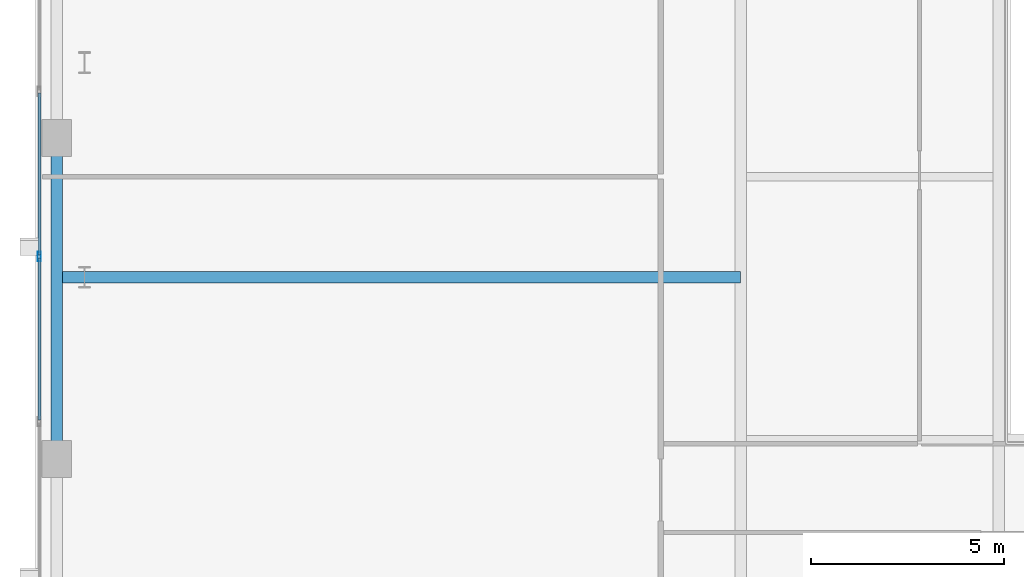
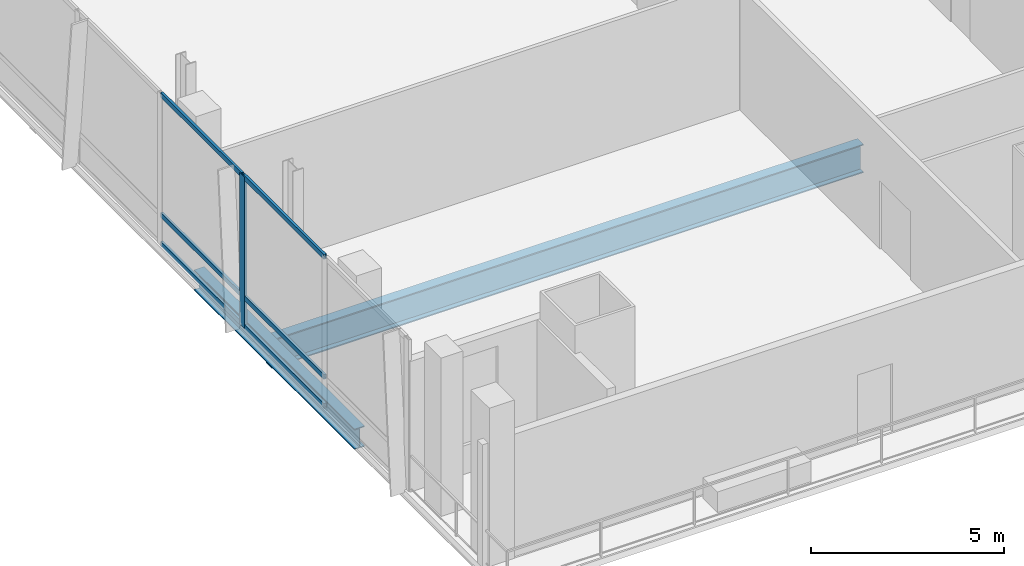
# One storey, part 6 of 25: 7 members, 2 beams, 1 element without a shape of its own.
"""IFC4 building model written with IfcOpenShell, lengths in metres."""

from ifc_helpers import new_model, si_unit, direction, frame, origin, origin_2d, place, context, subcontext, project, spatial, hollow_rectangle, i_section, extrude, material, material_profile, profile_set, type_object, element, aggregate, save


model = new_model("IFC4")

# Units and contexts
model_context = context("Model", 3, precision=1e-05, world=origin(), true_north=direction((0.0, 1.0)))
body_context = subcontext(model_context, "Body", "Model", "MODEL_VIEW")
ifc_project = project(units=[si_unit("LENGTHUNIT", "METRE"), si_unit("AREAUNIT", "SQUARE_METRE"), si_unit("VOLUMEUNIT", "CUBIC_METRE"), si_unit("PLANEANGLEUNIT", "RADIAN"), si_unit("MASSUNIT", "GRAM", prefix="KILO")], contexts=[model_context])

# Site, building, storey
site_placement = place(None, origin())
site = spatial("IfcSite", under=ifc_project, at=site_placement, CompositionType="ELEMENT")
building_placement = place(site_placement, origin())
building = spatial("IfcBuilding", under=site, at=building_placement, Name="Khoronbel Lancet Exchange", CompositionType="ELEMENT")
storey_placement = place(building_placement, frame((0.0, 0.0, 15.39990234375)))
storey = spatial("IfcBuildingStorey", under=building, at=storey_placement, Name="L03", CompositionType="ELEMENT", Elevation=15.39990234375)

# Beams
ifc_material_1 = material(Name="Steel S355", Category="steel")
ifc_material_profile_1 = material_profile(ifc_material_1, i_section(OverallWidth=0.300048828125, OverallDepth=0.89990234375, WebThickness=0.0185546875, FlangeThickness=0.034912109375, at=origin_2d()), Name="HEB 900")
ifc_profile_set_1 = profile_set([ifc_material_profile_1], Name="Steel S355")
beam_type_1 = type_object("IfcBeamType", Name="BM-BG1", PredefinedType="BEAM", material=ifc_profile_set_1)
beam_1_placement = place(storey_placement, frame((0.550048828125, 19.199951171875, -0.64990234375), z_axis=(1.0, 0.0, 0.0), x_axis=(0.0, 1.0, 0.0)))
element("IfcBeam", 1, at=beam_1_placement, inside=storey, type_object=beam_type_1, Name="Level L03 west lens tie girder LG1W", PredefinedType="BEAM", context=body_context, shape_type="SweptSolid", body=[
    extrude(i_section(OverallWidth=0.300048828125, OverallDepth=0.89990234375, WebThickness=0.0185546875, FlangeThickness=0.034912109375, at=origin_2d()), origin(), (0.0, 0.0, 1.0), 17.675048828125),
])
ifc_material_profile_2 = material_profile(ifc_material_1, i_section(OverallWidth=0.300048828125, OverallDepth=0.64990234375, WebThickness=0.01611328125, FlangeThickness=0.031005859375, at=origin_2d()), Name="HEB 650")
ifc_profile_set_2 = profile_set([ifc_material_profile_2], Name="Steel S355")
beam_type_2 = type_object("IfcBeamType", Name="BM-BSP1", PredefinedType="SPANDREL", material=ifc_profile_set_2)
beam_2_placement = place(storey_placement, frame((0.550048828125, 22.800048828125, -0.52490234375), z_axis=(0.0, -1.0, 0.0), x_axis=(1.0, 0.0, 0.0)))
element("IfcBeam", 2, at=beam_2_placement, inside=storey, type_object=beam_type_2, Name="Level L03 perimeter spandrel beam SP18", PredefinedType="SPANDREL", context=body_context, shape_type="SweptSolid", body=[
    extrude(i_section(OverallWidth=0.300048828125, OverallDepth=0.64990234375, WebThickness=0.01611328125, FlangeThickness=0.031005859375, at=origin_2d()), origin(), (0.0, 0.0, 1.0), 8.300048828125),
])

# Curtain wall, members
ifc_material_2 = material(Name="Low-E Solar Control Insulating Glass", Category="glass")
curtain_wall_type = type_object("IfcCurtainWallType", Name="CW-5", PredefinedType="NOTDEFINED", material=ifc_material_2)
curtain_wall_placement = place(storey_placement, origin())
curtain_wall = element("IfcCurtainWall", 3, at=curtain_wall_placement, inside=storey, type_object=curtain_wall_type, Name="Unitised curtain wall CW-L03-WEST", PredefinedType="NOTDEFINED")
ifc_material_3 = material(Name="Bronze-Anodised Aluminium 6063-T6", Category="aluminium")
ifc_material_profile_3 = material_profile(ifc_material_3, hollow_rectangle(XDim=0.0849609375, YDim=0.239990234375, WallThickness=0.006103515625, at=origin_2d()), Name="ALU MULLION 85x240")
ifc_profile_set_3 = profile_set([ifc_material_profile_3], Name="Bronze-Anodised Aluminium 6063-T6")
member_type_1 = type_object("IfcMemberType", Name="MEM-CWM1", PredefinedType="MULLION", material=ifc_profile_set_3)
member_1_placement = place(storey_placement, frame((0.10009765625, 19.7333984375, 0.0), z_axis=(0.0, 0.0, 1.0), x_axis=(1.0, 0.0, 0.0)))
member_1 = element("IfcMember", 4, at=member_1_placement, type_object=member_type_1, Name="CW5 mullion 8", PredefinedType="MULLION", context=body_context, shape_type="SweptSolid", body=[
    extrude(hollow_rectangle(XDim=0.0849609375, YDim=0.239990234375, WallThickness=0.006103515625, at=origin_2d()), origin(), (0.0, 0.0, 1.0), 4.780029296875),
])
ifc_material_profile_4 = material_profile(ifc_material_3, hollow_rectangle(XDim=0.074951171875, YDim=0.14990234375, WallThickness=0.00439453125, at=origin_2d()), Name="ALU TRANSOM 75x150")
ifc_profile_set_4 = profile_set([ifc_material_profile_4], Name="Bronze-Anodised Aluminium 6063-T6")
member_type_2 = type_object("IfcMemberType", Name="MEM-CWT2", PredefinedType="USERDEFINED", material=ifc_profile_set_4)
member_2_placement = place(storey_placement, frame((0.10009765625, 23.95751953125, 0.03759765625), z_axis=(0.0, -1.0, 0.0), x_axis=(1.0, 0.0, 0.0)))
member_2 = element("IfcMember", 5, at=member_2_placement, type_object=member_type_2, Name="CW5 transom 7.1", ObjectType="TRANSOM", PredefinedType="USERDEFINED", context=body_context, shape_type="SweptSolid", body=[
    extrude(hollow_rectangle(XDim=0.074951171875, YDim=0.14990234375, WallThickness=0.00439453125, at=origin_2d()), origin(), (0.0, 0.0, 1.0), 4.181640625),
])
member_3_placement = place(storey_placement, frame((0.10009765625, 23.95751953125, 0.9501953125), z_axis=(0.0, -1.0, 0.0), x_axis=(1.0, 0.0, 0.0)))
member_3 = element("IfcMember", 6, at=member_3_placement, type_object=member_type_2, Name="CW5 transom 7.2", ObjectType="TRANSOM", PredefinedType="USERDEFINED", context=body_context, shape_type="SweptSolid", body=[
    extrude(hollow_rectangle(XDim=0.074951171875, YDim=0.14990234375, WallThickness=0.00439453125, at=origin_2d()), origin(), (0.0, 0.0, 1.0), 4.181640625),
])
member_4_placement = place(storey_placement, frame((0.10009765625, 23.95751953125, 4.74267578125), z_axis=(0.0, -1.0, 0.0), x_axis=(1.0, 0.0, 0.0)))
member_4 = element("IfcMember", 7, at=member_4_placement, type_object=member_type_2, Name="CW5 transom 7.3", ObjectType="TRANSOM", PredefinedType="USERDEFINED", context=body_context, shape_type="SweptSolid", body=[
    extrude(hollow_rectangle(XDim=0.074951171875, YDim=0.14990234375, WallThickness=0.00439453125, at=origin_2d()), origin(), (0.0, 0.0, 1.0), 4.181640625),
])
member_5_placement = place(storey_placement, frame((0.10009765625, 19.69091796875, 0.03759765625), z_axis=(0.0, -1.0, 0.0), x_axis=(1.0, 0.0, 0.0)))
member_5 = element("IfcMember", 8, at=member_5_placement, type_object=member_type_2, Name="CW5 transom 8.1", ObjectType="TRANSOM", PredefinedType="USERDEFINED", context=body_context, shape_type="SweptSolid", body=[
    extrude(hollow_rectangle(XDim=0.074951171875, YDim=0.14990234375, WallThickness=0.00439453125, at=origin_2d()), origin(), (0.0, 0.0, 1.0), 4.181640625),
])
member_6_placement = place(storey_placement, frame((0.10009765625, 19.69091796875, 0.9501953125), z_axis=(0.0, -1.0, 0.0), x_axis=(1.0, 0.0, 0.0)))
member_6 = element("IfcMember", 9, at=member_6_placement, type_object=member_type_2, Name="CW5 transom 8.2", ObjectType="TRANSOM", PredefinedType="USERDEFINED", context=body_context, shape_type="SweptSolid", body=[
    extrude(hollow_rectangle(XDim=0.074951171875, YDim=0.14990234375, WallThickness=0.00439453125, at=origin_2d()), origin(), (0.0, 0.0, 1.0), 4.181640625),
])
member_7_placement = place(storey_placement, frame((0.10009765625, 19.69091796875, 4.74267578125), z_axis=(0.0, -1.0, 0.0), x_axis=(1.0, 0.0, 0.0)))
member_7 = element("IfcMember", 10, at=member_7_placement, type_object=member_type_2, Name="CW5 transom 8.3", ObjectType="TRANSOM", PredefinedType="USERDEFINED", context=body_context, shape_type="SweptSolid", body=[
    extrude(hollow_rectangle(XDim=0.074951171875, YDim=0.14990234375, WallThickness=0.00439453125, at=origin_2d()), origin(), (0.0, 0.0, 1.0), 4.181640625),
])
aggregate(curtain_wall, [member_1, member_2, member_3, member_4, member_5, member_6, member_7])

save(model, "model.ifc")
